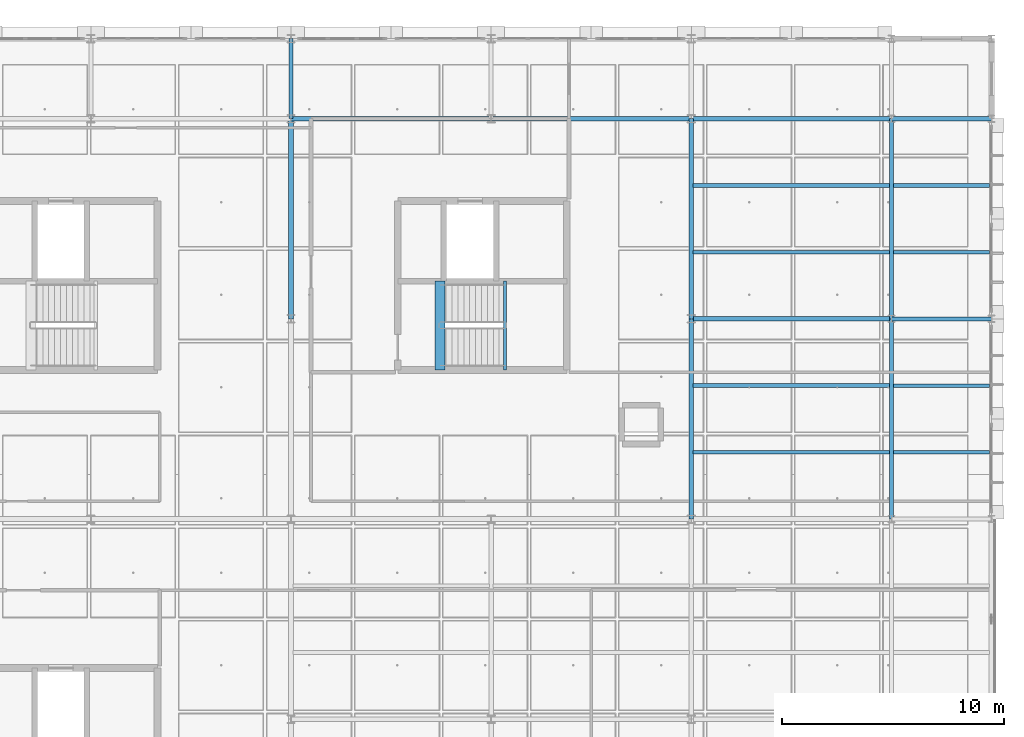
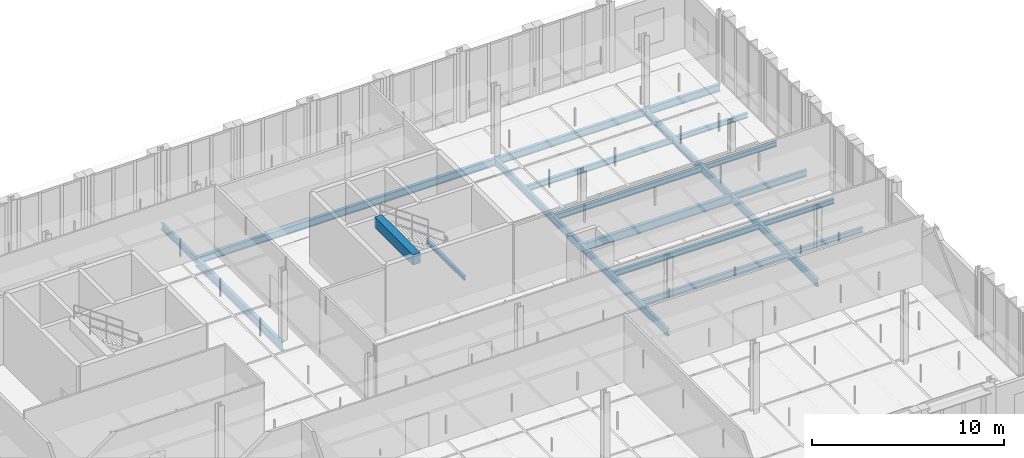
# One storey, part 51 of 130: 22 beams.
"""IFC4 building model written with IfcOpenShell, lengths in metres."""

from ifc_helpers import new_model, si_unit, direction, frame, origin, origin_2d, place, context, subcontext, project, spatial, rectangle, i_section, extrude, material, material_profile, profile_set, type_object, element, save


model = new_model("IFC4")

# Units and contexts
model_context = context("Model", 3, precision=1e-05, world=origin(), true_north=direction((0.0, 1.0)))
body_context = subcontext(model_context, "Body", "Model", "MODEL_VIEW")
ifc_project = project(units=[si_unit("LENGTHUNIT", "METRE"), si_unit("AREAUNIT", "SQUARE_METRE"), si_unit("VOLUMEUNIT", "CUBIC_METRE"), si_unit("PLANEANGLEUNIT", "RADIAN"), si_unit("MASSUNIT", "GRAM", prefix="KILO"), si_unit("THERMODYNAMICTEMPERATUREUNIT", "KELVIN"), si_unit("POWERUNIT", "WATT")], contexts=[model_context])

# Site, building, storey
site_placement = place(None, origin())
site = spatial("IfcSite", under=ifc_project, at=site_placement, CompositionType="ELEMENT")
building_placement = place(site_placement, origin())
building = spatial("IfcBuilding", under=site, at=building_placement, Name="Tallowbark Science Centre", CompositionType="ELEMENT")
storey_placement = place(building_placement, frame((0.0, 0.0, 5.39990234375)))
storey = spatial("IfcBuildingStorey", under=building, at=storey_placement, Name="L01", CompositionType="ELEMENT", Elevation=5.39990234375)

# Beams
ifc_material_1 = material(Name="Concrete Grade N40 (40 MPa)", Category="concrete")
ifc_material_profile_1 = material_profile(ifc_material_1, rectangle(XDim=0.449951171875, YDim=0.64990234375, at=origin_2d()), Name="RC450x650")
ifc_profile_set_1 = profile_set([ifc_material_profile_1], Name="Concrete Grade N40 (40 MPa)")
beam_type_1 = type_object("IfcBeamType", Name="BM-GB2-N40", PredefinedType="BEAM", material=ifc_profile_set_1)
beam_1_placement = place(storey_placement, frame((137.2099609375, 96.699951171875, 4.175048828125), z_axis=(0.0, 1.0, 0.0), x_axis=(-1.0, 0.0, 0.0)))
element("IfcBeam", 1, at=beam_1_placement, inside=storey, type_object=beam_type_1, Name="Stair ST-04 Landing Nosing Beam L01", PredefinedType="BEAM", context=body_context, shape_type="SweptSolid", body=[
    extrude(rectangle(XDim=0.449951171875, YDim=0.64990234375, at=origin_2d()), origin(), (0.0, 0.0, 1.0), 3.9951171875),
])
ifc_material_2 = material(Name="Structural Steel Grade 300PLUS (300 MPa)", Category="steel")
ifc_material_profile_2 = material_profile(ifc_material_2, i_section(OverallWidth=0.177734375, OverallDepth=0.406494140625, WebThickness=0.0078125, FlangeThickness=0.0126953125, FilletRadius=0.011474609375, at=origin_2d()), Name="410UB59.7")
ifc_profile_set_2 = profile_set([ifc_material_profile_2], Name="Structural Steel Grade 300PLUS (300 MPa)")
beam_type_2 = type_object("IfcBeamType", Name="BM-UB410", PredefinedType="BEAM", material=ifc_profile_set_2)
beam_2_placement = place(storey_placement, frame((157.5, 99.0, -0.383056640625), z_axis=(1.0, 0.0, 0.0), x_axis=(0.0, 1.0, 0.0)))
element("IfcBeam", 2, at=beam_2_placement, inside=storey, type_object=beam_type_2, Name="Primary Girder GRDX-L01-1575-1620-990", PredefinedType="BEAM", context=body_context, shape_type="SweptSolid", body=[
    extrude(i_section(OverallWidth=0.177734375, OverallDepth=0.406494140625, WebThickness=0.0078125, FlangeThickness=0.0126953125, FilletRadius=0.011474609375, at=origin_2d()), origin(), (0.0, 0.0, 1.0), 4.5),
])
beam_3_placement = place(storey_placement, frame((130.5, 108.0, -0.383056640625), z_axis=(0.0, 1.0, 0.0), x_axis=(-1.0, 0.0, 0.0)))
element("IfcBeam", 3, at=beam_3_placement, inside=storey, type_object=beam_type_2, Name="Primary Girder GRDY-L01-1305-1080-1116", PredefinedType="BEAM", context=body_context, shape_type="SweptSolid", body=[
    extrude(i_section(OverallWidth=0.177734375, OverallDepth=0.406494140625, WebThickness=0.0078125, FlangeThickness=0.0126953125, FilletRadius=0.011474609375, at=origin_2d()), origin(), (0.0, 0.0, 1.0), 3.60009765625),
])
ifc_material_profile_3 = material_profile(ifc_material_2, i_section(OverallWidth=0.208984375, OverallDepth=0.532958984375, WebThickness=0.01025390625, FlangeThickness=0.015625, FilletRadius=0.013916015625, at=origin_2d()), Name="530UB92.4")
ifc_profile_set_3 = profile_set([ifc_material_profile_3], Name="Structural Steel Grade 300PLUS (300 MPa)")
beam_type_3 = type_object("IfcBeamType", Name="BM-UB530A", PredefinedType="BEAM", material=ifc_profile_set_3)
beam_4_placement = place(storey_placement, frame((148.5, 99.0, -0.4462890625), z_axis=(1.0, 0.0, 0.0), x_axis=(0.0, 1.0, 0.0)))
element("IfcBeam", 4, at=beam_4_placement, inside=storey, type_object=beam_type_3, Name="Primary Girder GRDX-L01-1485-1575-990", PredefinedType="BEAM", context=body_context, shape_type="SweptSolid", body=[
    extrude(i_section(OverallWidth=0.208984375, OverallDepth=0.532958984375, WebThickness=0.01025390625, FlangeThickness=0.015625, FilletRadius=0.013916015625, at=origin_2d()), origin(), (0.0, 0.0, 1.0), 9.0),
])
ifc_material_profile_4 = material_profile(ifc_material_2, i_section(OverallWidth=0.208740234375, OverallDepth=0.5283203125, WebThickness=0.009521484375, FlangeThickness=0.01318359375, FilletRadius=0.013916015625, at=origin_2d()), Name="530UB82.0")
ifc_profile_set_4 = profile_set([ifc_material_profile_4], Name="Structural Steel Grade 300PLUS (300 MPa)")
beam_type_4 = type_object("IfcBeamType", Name="BM-UB530B", PredefinedType="BEAM", material=ifc_profile_set_4)
beam_5_placement = place(storey_placement, frame((130.5, 99.0, -0.444091796875), z_axis=(0.0, 1.0, 0.0), x_axis=(-1.0, 0.0, 0.0)))
element("IfcBeam", 5, at=beam_5_placement, inside=storey, type_object=beam_type_4, Name="Primary Girder GRDY-L01-1305-990-1080", PredefinedType="BEAM", context=body_context, shape_type="SweptSolid", body=[
    extrude(i_section(OverallWidth=0.208740234375, OverallDepth=0.5283203125, WebThickness=0.009521484375, FlangeThickness=0.01318359375, FilletRadius=0.013916015625, at=origin_2d()), origin(), (0.0, 0.0, 1.0), 9.0),
])
ifc_material_profile_5 = material_profile(ifc_material_2, i_section(OverallWidth=0.146484375, OverallDepth=0.256103515625, WebThickness=0.00634765625, FlangeThickness=0.010986328125, FilletRadius=0.0087890625, at=origin_2d()), Name="250UB37.3")
ifc_profile_set_5 = profile_set([ifc_material_profile_5], Name="Structural Steel Grade 300PLUS (300 MPa)")
beam_type_5 = type_object("IfcBeamType", Name="JST-UB250", PredefinedType="JOIST", material=ifc_profile_set_5)
beam_6_placement = place(storey_placement, frame((140.125, 96.699951171875, 1.922119140625), z_axis=(0.0, 1.0, 0.0), x_axis=(-1.0, 0.0, 0.0)))
element("IfcBeam", 6, at=beam_6_placement, inside=storey, type_object=beam_type_5, Name="Stair ST-04 Half-Landing Trimmer L01", PredefinedType="JOIST", context=body_context, shape_type="SweptSolid", body=[
    extrude(i_section(OverallWidth=0.146484375, OverallDepth=0.256103515625, WebThickness=0.00634765625, FlangeThickness=0.010986328125, FilletRadius=0.0087890625, at=origin_2d()), origin(), (0.0, 0.0, 1.0), 3.9951171875),
])
ifc_material_profile_6 = material_profile(ifc_material_2, i_section(OverallWidth=0.166015625, OverallDepth=0.30712890625, WebThickness=0.006591796875, FlangeThickness=0.01171875, FilletRadius=0.011474609375, at=origin_2d()), Name="310UB46.2")
ifc_profile_set_6 = profile_set([ifc_material_profile_6], Name="Structural Steel Grade 300PLUS (300 MPa)")
beam_type_6 = type_object("IfcBeamType", Name="JST-UB310", PredefinedType="JOIST", material=ifc_profile_set_6)
for number, where, z_axis, x_axis, name in (
    (7, (157.5849609375, 93.0, -0.33349609375), (1.0, 0.0, 0.0), (0.0, 1.0, 0.0), "Composite Floor Joist JSTX-L01-1575-930"),
    (8, (157.5849609375, 96.0, -0.33349609375), (1.0, 0.0, 0.0), (0.0, 1.0, 0.0), "Composite Floor Joist JSTX-L01-1575-960"),
    (9, (157.5849609375, 102.0, -0.33349609375), (1.0, 0.0, 0.0), (0.0, 1.0, 0.0), "Composite Floor Joist JSTX-L01-1575-1020"),
    (10, (157.5849609375, 105.0, -0.33349609375), (1.0, 0.0, 0.0), (0.0, 1.0, 0.0), "Composite Floor Joist JSTX-L01-1575-1050"),
):
    element("IfcBeam", number, at=place(storey_placement, frame(where, z_axis=z_axis, x_axis=x_axis)), inside=storey, type_object=beam_type_6, Name=name, PredefinedType="JOIST", context=body_context, shape_type="SweptSolid", body=[
        extrude(i_section(OverallWidth=0.166015625, OverallDepth=0.30712890625, WebThickness=0.006591796875, FlangeThickness=0.01171875, FilletRadius=0.011474609375, at=origin_2d()), origin(), (0.0, 0.0, 1.0), 4.330078125),
    ])
ifc_material_profile_7 = material_profile(ifc_material_2, i_section(OverallWidth=0.172119140625, OverallDepth=0.358642578125, WebThickness=0.008056640625, FlangeThickness=0.012939453125, FilletRadius=0.011474609375, at=origin_2d()), Name="360UB56.7")
ifc_profile_set_7 = profile_set([ifc_material_profile_7], Name="Structural Steel Grade 300PLUS (300 MPa)")
beam_type_7 = type_object("IfcBeamType", Name="JST-UB360", PredefinedType="JOIST", material=ifc_profile_set_7)
for number, where, z_axis, x_axis, name in (
    (11, (148.5849609375, 93.0, -0.359130859375), (1.0, 0.0, 0.0), (0.0, 1.0, 0.0), "Composite Floor Joist JSTX-L01-1485-930"),
    (12, (148.5849609375, 96.0, -0.359130859375), (1.0, 0.0, 0.0), (0.0, 1.0, 0.0), "Composite Floor Joist JSTX-L01-1485-960"),
    (13, (148.5849609375, 102.0, -0.359130859375), (1.0, 0.0, 0.0), (0.0, 1.0, 0.0), "Composite Floor Joist JSTX-L01-1485-1020"),
    (14, (148.5849609375, 105.0, -0.359130859375), (1.0, 0.0, 0.0), (0.0, 1.0, 0.0), "Composite Floor Joist JSTX-L01-1485-1050"),
):
    element("IfcBeam", number, at=place(storey_placement, frame(where, z_axis=z_axis, x_axis=x_axis)), inside=storey, type_object=beam_type_7, Name=name, PredefinedType="JOIST", context=body_context, shape_type="SweptSolid", body=[
        extrude(i_section(OverallWidth=0.172119140625, OverallDepth=0.358642578125, WebThickness=0.008056640625, FlangeThickness=0.012939453125, FilletRadius=0.011474609375, at=origin_2d()), origin(), (0.0, 0.0, 1.0), 8.830078125),
    ])
ifc_material_profile_8 = material_profile(ifc_material_2, i_section(OverallWidth=0.18994140625, OverallDepth=0.453857421875, WebThickness=0.008544921875, FlangeThickness=0.0126953125, FilletRadius=0.011474609375, at=origin_2d()), Name="460UB67.1")
ifc_profile_set_8 = profile_set([ifc_material_profile_8], Name="Structural Steel Grade 300PLUS (300 MPa)")
beam_type_8 = type_object("IfcBeamType", Name="SPN-UB460", PredefinedType="SPANDREL", material=ifc_profile_set_8)
for number, where, z_axis, x_axis, name in (
    (15, (130.5, 108.0, -0.40673828125), (1.0, 0.0, 0.0), (0.0, 1.0, 0.0), "Primary Girder GRDX-L01-1305-1395-1080"),
    (16, (139.5, 108.0, -0.40673828125), (1.0, 0.0, 0.0), (0.0, 1.0, 0.0), "Primary Girder GRDX-L01-1395-1485-1080"),
    (17, (148.5, 108.0, -0.40673828125), (1.0, 0.0, 0.0), (0.0, 1.0, 0.0), "Primary Girder GRDX-L01-1485-1575-1080"),
):
    element("IfcBeam", number, at=place(storey_placement, frame(where, z_axis=z_axis, x_axis=x_axis)), inside=storey, type_object=beam_type_8, Name=name, PredefinedType="SPANDREL", context=body_context, shape_type="SweptSolid", body=[
        extrude(i_section(OverallWidth=0.18994140625, OverallDepth=0.453857421875, WebThickness=0.008544921875, FlangeThickness=0.0126953125, FilletRadius=0.011474609375, at=origin_2d()), origin(), (0.0, 0.0, 1.0), 9.0),
    ])
beam_7_placement = place(storey_placement, frame((157.5, 108.0, -0.40673828125), z_axis=(1.0, 0.0, 0.0), x_axis=(0.0, 1.0, 0.0)))
element("IfcBeam", 18, at=beam_7_placement, inside=storey, type_object=beam_type_8, Name="Primary Girder GRDX-L01-1575-1620-1080", PredefinedType="SPANDREL", context=body_context, shape_type="SweptSolid", body=[
    extrude(i_section(OverallWidth=0.18994140625, OverallDepth=0.453857421875, WebThickness=0.008544921875, FlangeThickness=0.0126953125, FilletRadius=0.011474609375, at=origin_2d()), origin(), (0.0, 0.0, 1.0), 4.5),
])
for number, where, z_axis, x_axis, name in (
    (19, (148.5, 90.0, -0.40673828125), (0.0, 1.0, 0.0), (-1.0, 0.0, 0.0), "Primary Girder GRDY-L01-1485-900-990"),
    (20, (148.5, 99.0, -0.40673828125), (0.0, 1.0, 0.0), (-1.0, 0.0, 0.0), "Primary Girder GRDY-L01-1485-990-1080"),
    (21, (157.5, 90.0, -0.40673828125), (0.0, 1.0, 0.0), (-1.0, 0.0, 0.0), "Primary Girder GRDY-L01-1575-900-990"),
    (22, (157.5, 99.0, -0.40673828125), (0.0, 1.0, 0.0), (-1.0, 0.0, 0.0), "Primary Girder GRDY-L01-1575-990-1080"),
):
    element("IfcBeam", number, at=place(storey_placement, frame(where, z_axis=z_axis, x_axis=x_axis)), inside=storey, type_object=beam_type_8, Name=name, PredefinedType="SPANDREL", context=body_context, shape_type="SweptSolid", body=[
        extrude(i_section(OverallWidth=0.18994140625, OverallDepth=0.453857421875, WebThickness=0.008544921875, FlangeThickness=0.0126953125, FilletRadius=0.011474609375, at=origin_2d()), origin(), (0.0, 0.0, 1.0), 9.0),
    ])

save(model, "model.ifc")
